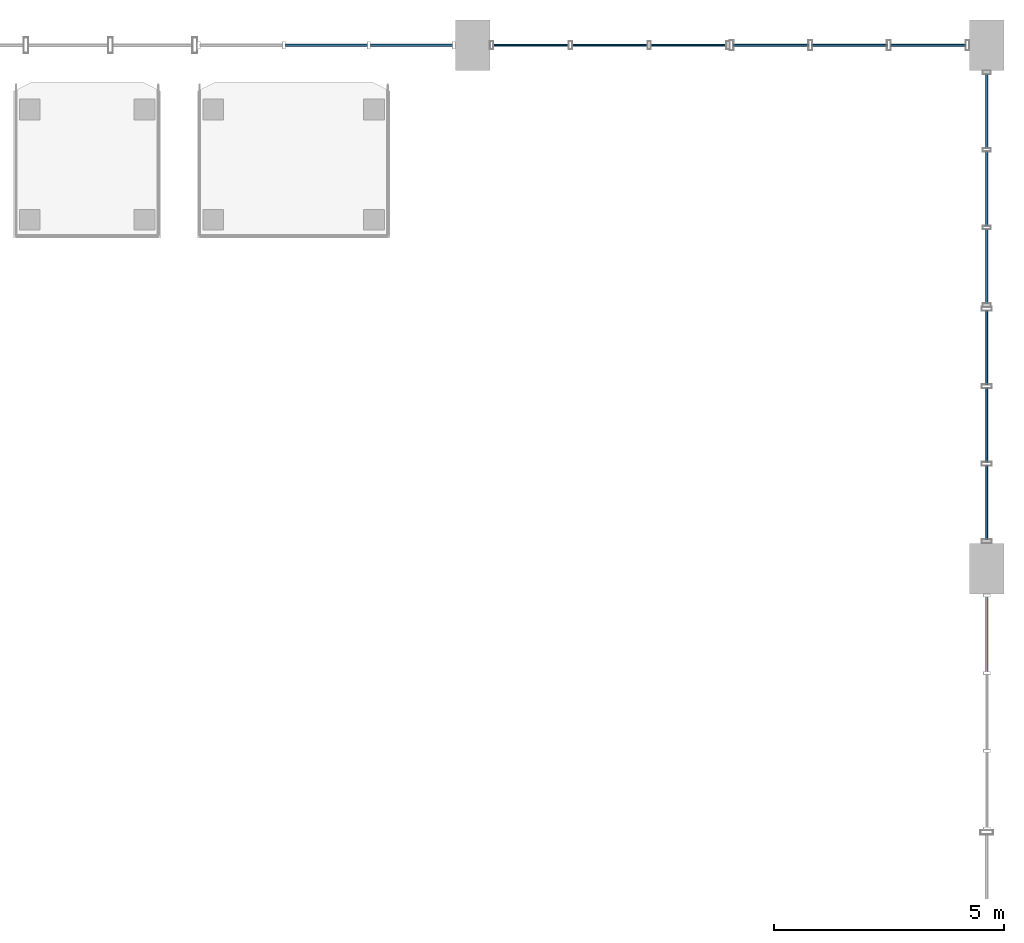
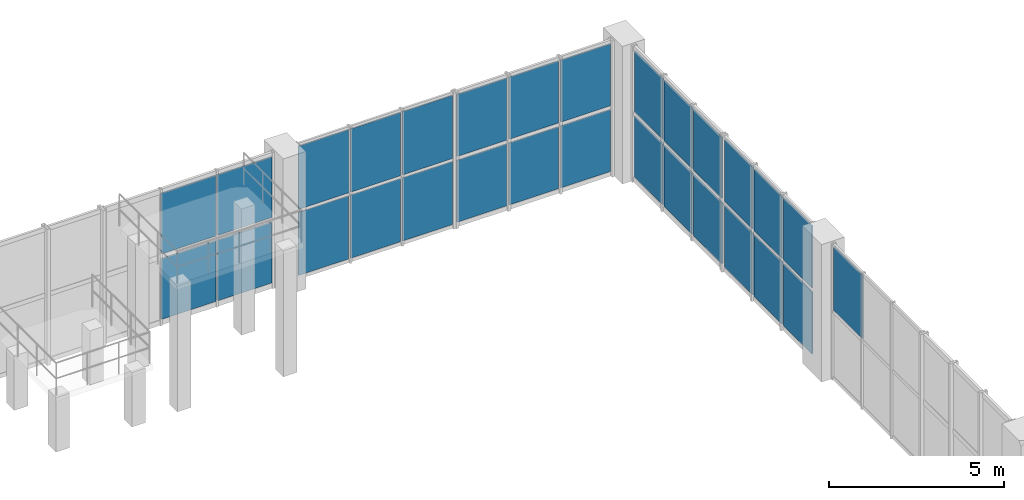
# One storey, part 77 of 106: 29 plates, 6 elements without a shape of their own.
"""IFC4 building model written with IfcOpenShell, lengths in metres."""

from ifc_helpers import new_model, si_unit, direction, frame, origin, origin_2d, place, context, subcontext, project, spatial, rectangle, extrude, material, layer, layer_set, type_object, element, aggregate, save


model = new_model("IFC4")

# Units and contexts
model_context = context("Model", 3, precision=1e-05, world=origin(), true_north=direction((0.0, 1.0)))
body_context = subcontext(model_context, "Body", "Model", "MODEL_VIEW")
ifc_project = project(units=[si_unit("LENGTHUNIT", "METRE"), si_unit("AREAUNIT", "SQUARE_METRE"), si_unit("VOLUMEUNIT", "CUBIC_METRE"), si_unit("PLANEANGLEUNIT", "RADIAN"), si_unit("MASSUNIT", "GRAM", prefix="KILO"), si_unit("POWERUNIT", "WATT"), si_unit("THERMODYNAMICTEMPERATUREUNIT", "KELVIN")], contexts=[model_context])

# Site, building, storey
site_placement = place(None, origin())
site = spatial("IfcSite", under=ifc_project, at=site_placement, CompositionType="ELEMENT")
building_placement = place(site_placement, origin())
building = spatial("IfcBuilding", under=site, at=building_placement, Name="Kelmbourne Parkland Aquatics Centre", CompositionType="ELEMENT")
storey_placement = place(building_placement, frame((0.0, 0.0, 5.39990234375)))
storey = spatial("IfcBuildingStorey", under=building, at=storey_placement, Name="L01", CompositionType="ELEMENT", Elevation=5.39990234375)

# Curtain wall, plate
ifc_material_1 = material(Name="Thermally broken anodised aluminium framing", Category="aluminium")
ifc_layer_1 = layer(ifc_material_1, 0.179931640625)
ifc_layer_set_1 = layer_set([ifc_layer_1], Name="Thermally broken anodised aluminium framing")
curtain_wall_type_1 = type_object("IfcCurtainWallType", Name="CW-18", PredefinedType="NOTDEFINED", material=ifc_layer_set_1)
curtain_wall_1_placement = place(storey_placement, origin())
curtain_wall_1 = element("IfcCurtainWall", 1, at=curtain_wall_1_placement, inside=storey, type_object=curtain_wall_type_1, Name="Wave-hall clerestory curtain wall CW-L01-090", PredefinedType="NOTDEFINED")
ifc_material_2 = material(Name="Double-glazed low-e laminated safety glass", Category="glass")
ifc_layer_2 = layer(ifc_material_2, 0.0419921875)
ifc_layer_set_2 = layer_set([ifc_layer_2], Name="Double-glazed low-e laminated safety glass")
plate_type_1 = type_object("IfcPlateType", Name="PL-CLR-1", PredefinedType="USERDEFINED", material=ifc_layer_set_2)
plate_1_placement = place(storey_placement, frame((175.199951171875, 101.968505859375, 2.428955078125), z_axis=(0.0, 0.0, 1.0), x_axis=(0.0, 1.0, 0.0)))
plate_1 = element("IfcPlate", 2, at=plate_1_placement, type_object=plate_type_1, Name="CW-L01-090 clerestory glazing 1-2", ObjectType="CLERESTORY GLAZING", PredefinedType="USERDEFINED", context=body_context, shape_type="SweptSolid", body=[
    extrude(rectangle(XDim=1.641357421875, YDim=0.0419921875, at=origin_2d()), origin(), (0.0, 0.0, 1.0), 2.2041015625),
])
aggregate(curtain_wall_1, [plate_1])

# Curtain wall, plates
ifc_layer_3 = layer(ifc_material_1, 0.179931640625)
ifc_layer_set_3 = layer_set([ifc_layer_3], Name="Thermally broken anodised aluminium framing")
curtain_wall_type_2 = type_object("IfcCurtainWallType", Name="CW-01", PredefinedType="NOTDEFINED", material=ifc_layer_set_3)
curtain_wall_2_placement = place(storey_placement, origin())
curtain_wall_2 = element("IfcCurtainWall", 3, at=curtain_wall_2_placement, inside=storey, type_object=curtain_wall_type_2, Name="Wave-hall clerestory curtain wall CW-L01-097", PredefinedType="NOTDEFINED")
plate_2_placement = place(storey_placement, frame((175.199951171875, 104.83837890625, 2.4443359375), z_axis=(0.0, 0.0, 1.0), x_axis=(0.0, 1.0, 0.0)))
plate_2 = element("IfcPlate", 4, at=plate_2_placement, type_object=plate_type_1, Name="CW-L01-097 clerestory glazing 1-0", ObjectType="CLERESTORY GLAZING", PredefinedType="USERDEFINED", context=body_context, shape_type="SweptSolid", body=[
    extrude(rectangle(XDim=1.61474609375, YDim=0.0419921875, at=origin_2d()), origin(), (0.0, 0.0, 1.0), 2.158935546875),
])
plate_3_placement = place(storey_placement, frame((175.199951171875, 106.52587890625, 2.4443359375), z_axis=(0.0, 0.0, 1.0), x_axis=(0.0, 1.0, 0.0)))
plate_3 = element("IfcPlate", 5, at=plate_3_placement, type_object=plate_type_1, Name="CW-L01-097 clerestory glazing 1-1", ObjectType="CLERESTORY GLAZING", PredefinedType="USERDEFINED", context=body_context, shape_type="SweptSolid", body=[
    extrude(rectangle(XDim=1.614501953125, YDim=0.0419921875, at=origin_2d()), origin(), (0.0, 0.0, 1.0), 2.158935546875),
])
plate_4_placement = place(storey_placement, frame((175.199951171875, 108.213623046875, 2.4443359375), z_axis=(0.0, 0.0, 1.0), x_axis=(0.0, 1.0, 0.0)))
plate_4 = element("IfcPlate", 6, at=plate_4_placement, type_object=plate_type_1, Name="CW-L01-097 clerestory glazing 1-2", ObjectType="CLERESTORY GLAZING", PredefinedType="USERDEFINED", context=body_context, shape_type="SweptSolid", body=[
    extrude(rectangle(XDim=1.61474609375, YDim=0.0419921875, at=origin_2d()), origin(), (0.0, 0.0, 1.0), 2.158935546875),
])

ifc_layer_4 = layer(ifc_material_1, 0.179931640625)
ifc_layer_set_4 = layer_set([ifc_layer_4], Name="Thermally broken anodised aluminium framing")
curtain_wall_type_3 = type_object("IfcCurtainWallType", Name="CW-05", PredefinedType="NOTDEFINED", material=ifc_layer_set_4)
curtain_wall_3_placement = place(storey_placement, origin())
curtain_wall_3 = element("IfcCurtainWall", 7, at=curtain_wall_3_placement, inside=storey, type_object=curtain_wall_type_3, Name="Wave-hall clerestory curtain wall CW-L01-101", PredefinedType="NOTDEFINED")
plate_5_placement = place(storey_placement, frame((175.199951171875, 109.98291015625, 2.458984375), z_axis=(0.0, 0.0, 1.0), x_axis=(0.0, 1.0, 0.0)))
plate_5 = element("IfcPlate", 8, at=plate_5_placement, type_object=plate_type_1, Name="CW-L01-101 clerestory glazing 1-0", ObjectType="CLERESTORY GLAZING", PredefinedType="USERDEFINED", context=body_context, shape_type="SweptSolid", body=[
    extrude(rectangle(XDim=1.6279296875, YDim=0.0419921875, at=origin_2d()), origin(), (0.0, 0.0, 1.0), 2.114013671875),
])
plate_6_placement = place(storey_placement, frame((175.199951171875, 111.674072265625, 2.458984375), z_axis=(0.0, 0.0, 1.0), x_axis=(0.0, 1.0, 0.0)))
plate_6 = element("IfcPlate", 9, at=plate_6_placement, type_object=plate_type_1, Name="CW-L01-101 clerestory glazing 1-1", ObjectType="CLERESTORY GLAZING", PredefinedType="USERDEFINED", context=body_context, shape_type="SweptSolid", body=[
    extrude(rectangle(XDim=1.6279296875, YDim=0.0419921875, at=origin_2d()), origin(), (0.0, 0.0, 1.0), 2.114013671875),
])
plate_7_placement = place(storey_placement, frame((175.199951171875, 113.364990234375, 2.458984375), z_axis=(0.0, 0.0, 1.0), x_axis=(0.0, 1.0, 0.0)))
plate_7 = element("IfcPlate", 10, at=plate_7_placement, type_object=plate_type_1, Name="CW-L01-101 clerestory glazing 1-2", ObjectType="CLERESTORY GLAZING", PredefinedType="USERDEFINED", context=body_context, shape_type="SweptSolid", body=[
    extrude(rectangle(XDim=1.6279296875, YDim=0.0419921875, at=origin_2d()), origin(), (0.0, 0.0, 1.0), 2.114013671875),
])

ifc_layer_5 = layer(ifc_material_1, 0.179931640625)
ifc_layer_set_5 = layer_set([ifc_layer_5], Name="Thermally broken anodised aluminium framing")
curtain_wall_type_4 = type_object("IfcCurtainWallType", Name="CW-20", PredefinedType="NOTDEFINED", material=ifc_layer_set_5)
curtain_wall_4_placement = place(storey_placement, origin())
curtain_wall_4 = element("IfcCurtainWall", 11, at=curtain_wall_4_placement, inside=storey, type_object=curtain_wall_type_4, Name="Wave-hall clerestory curtain wall CW-L01-140", PredefinedType="NOTDEFINED")
plate_8_placement = place(storey_placement, frame((160.8115234375, 114.800048828125, 2.458984375), z_axis=(0.0, 0.0, 1.0), x_axis=(1.0, 0.0, 0.0)))
plate_8 = element("IfcPlate", 12, at=plate_8_placement, type_object=plate_type_1, Name="CW-L01-140 clerestory glazing 1-1", ObjectType="CLERESTORY GLAZING", PredefinedType="USERDEFINED", context=body_context, shape_type="SweptSolid", body=[
    extrude(rectangle(XDim=1.799560546875, YDim=0.0419921875, at=origin_2d()), origin(), (0.0, 0.0, 1.0), 2.114013671875),
])
plate_9_placement = place(storey_placement, frame((162.664306640625, 114.800048828125, 2.458984375), z_axis=(0.0, 0.0, 1.0), x_axis=(1.0, 0.0, 0.0)))
plate_9 = element("IfcPlate", 13, at=plate_9_placement, type_object=plate_type_1, Name="CW-L01-140 clerestory glazing 1-2", ObjectType="CLERESTORY GLAZING", PredefinedType="USERDEFINED", context=body_context, shape_type="SweptSolid", body=[
    extrude(rectangle(XDim=1.7998046875, YDim=0.0419921875, at=origin_2d()), origin(), (0.0, 0.0, 1.0), 2.114013671875),
])

ifc_layer_6 = layer(ifc_material_1, 0.179931640625)
ifc_layer_set_6 = layer_set([ifc_layer_6], Name="Thermally broken anodised aluminium framing")
curtain_wall_type_5 = type_object("IfcCurtainWallType", Name="CW-21", PredefinedType="NOTDEFINED", material=ifc_layer_set_6)
curtain_wall_5_placement = place(storey_placement, origin())
curtain_wall_5 = element("IfcCurtainWall", 14, at=curtain_wall_5_placement, inside=storey, type_object=curtain_wall_type_5, Name="Wave-hall clerestory curtain wall CW-L01-141", PredefinedType="NOTDEFINED")
plate_10_placement = place(storey_placement, frame((165.2724609375, 114.800048828125, 2.428955078125), z_axis=(0.0, 0.0, 1.0), x_axis=(1.0, 0.0, 0.0)))
plate_10 = element("IfcPlate", 15, at=plate_10_placement, type_object=plate_type_1, Name="CW-L01-141 clerestory glazing 1-0", ObjectType="CLERESTORY GLAZING", PredefinedType="USERDEFINED", context=body_context, shape_type="SweptSolid", body=[
    extrude(rectangle(XDim=1.653076171875, YDim=0.0419921875, at=origin_2d()), origin(), (0.0, 0.0, 1.0), 2.2041015625),
])
plate_11_placement = place(storey_placement, frame((166.988525390625, 114.800048828125, 2.428955078125), z_axis=(0.0, 0.0, 1.0), x_axis=(1.0, 0.0, 0.0)))
plate_11 = element("IfcPlate", 16, at=plate_11_placement, type_object=plate_type_1, Name="CW-L01-141 clerestory glazing 1-1", ObjectType="CLERESTORY GLAZING", PredefinedType="USERDEFINED", context=body_context, shape_type="SweptSolid", body=[
    extrude(rectangle(XDim=1.653076171875, YDim=0.0419921875, at=origin_2d()), origin(), (0.0, 0.0, 1.0), 2.2041015625),
])
plate_12_placement = place(storey_placement, frame((168.70458984375, 114.800048828125, 2.428955078125), z_axis=(0.0, 0.0, 1.0), x_axis=(1.0, 0.0, 0.0)))
plate_12 = element("IfcPlate", 17, at=plate_12_placement, type_object=plate_type_1, Name="CW-L01-141 clerestory glazing 1-2", ObjectType="CLERESTORY GLAZING", PredefinedType="USERDEFINED", context=body_context, shape_type="SweptSolid", body=[
    extrude(rectangle(XDim=1.653076171875, YDim=0.0419921875, at=origin_2d()), origin(), (0.0, 0.0, 1.0), 2.2041015625),
])

ifc_layer_7 = layer(ifc_material_1, 0.179931640625)
ifc_layer_set_7 = layer_set([ifc_layer_7], Name="Thermally broken anodised aluminium framing")
curtain_wall_type_6 = type_object("IfcCurtainWallType", Name="CW-22", PredefinedType="NOTDEFINED", material=ifc_layer_set_7)
curtain_wall_6_placement = place(storey_placement, origin())
curtain_wall_6 = element("IfcCurtainWall", 18, at=curtain_wall_6_placement, inside=storey, type_object=curtain_wall_type_6, Name="Wave-hall clerestory curtain wall CW-L01-142", PredefinedType="NOTDEFINED")
plate_13_placement = place(storey_placement, frame((170.498779296875, 114.800048828125, 2.4443359375), z_axis=(0.0, 0.0, 1.0), x_axis=(1.0, 0.0, 0.0)))
plate_13 = element("IfcPlate", 19, at=plate_13_placement, type_object=plate_type_1, Name="CW-L01-142 clerestory glazing 1-0", ObjectType="CLERESTORY GLAZING", PredefinedType="USERDEFINED", context=body_context, shape_type="SweptSolid", body=[
    extrude(rectangle(XDim=1.6396484375, YDim=0.0419921875, at=origin_2d()), origin(), (0.0, 0.0, 1.0), 2.158935546875),
])
plate_14_placement = place(storey_placement, frame((172.21142578125, 114.800048828125, 2.4443359375), z_axis=(0.0, 0.0, 1.0), x_axis=(1.0, 0.0, 0.0)))
plate_14 = element("IfcPlate", 20, at=plate_14_placement, type_object=plate_type_1, Name="CW-L01-142 clerestory glazing 1-1", ObjectType="CLERESTORY GLAZING", PredefinedType="USERDEFINED", context=body_context, shape_type="SweptSolid", body=[
    extrude(rectangle(XDim=1.6396484375, YDim=0.0419921875, at=origin_2d()), origin(), (0.0, 0.0, 1.0), 2.158935546875),
])
plate_15_placement = place(storey_placement, frame((173.924072265625, 114.800048828125, 2.4443359375), z_axis=(0.0, 0.0, 1.0), x_axis=(1.0, 0.0, 0.0)))
plate_15 = element("IfcPlate", 21, at=plate_15_placement, type_object=plate_type_1, Name="CW-L01-142 clerestory glazing 1-2", ObjectType="CLERESTORY GLAZING", PredefinedType="USERDEFINED", context=body_context, shape_type="SweptSolid", body=[
    extrude(rectangle(XDim=1.6396484375, YDim=0.0419921875, at=origin_2d()), origin(), (0.0, 0.0, 1.0), 2.158935546875),
])

# Plate
ifc_layer_8 = layer(ifc_material_2, 0.02392578125)
ifc_layer_set_8 = layer_set([ifc_layer_8], Name="Double-glazed low-e laminated safety glass")
plate_type_2 = type_object("IfcPlateType", Name="PL-CWP-1", PredefinedType="CURTAIN_PANEL", material=ifc_layer_set_8)
plate_16_placement = place(storey_placement, frame((165.2724609375, 114.800048828125, 0.116943359375), z_axis=(0.0, 0.0, 1.0), x_axis=(1.0, 0.0, 0.0)))
plate_16 = element("IfcPlate", 22, at=plate_16_placement, type_object=plate_type_2, Name="CW-L01-141 vision glazing 0-0", PredefinedType="CURTAIN_PANEL", context=body_context, shape_type="SweptSolid", body=[
    extrude(rectangle(XDim=1.653076171875, YDim=0.02392578125, at=origin_2d()), origin(), (0.0, 0.0, 1.0), 2.2041015625),
])

plate_17_placement = place(storey_placement, frame((166.988525390625, 114.800048828125, 0.116943359375), z_axis=(0.0, 0.0, 1.0), x_axis=(1.0, 0.0, 0.0)))
plate_17 = element("IfcPlate", 23, at=plate_17_placement, type_object=plate_type_2, Name="CW-L01-141 vision glazing 0-1", PredefinedType="CURTAIN_PANEL", context=body_context, shape_type="SweptSolid", body=[
    extrude(rectangle(XDim=1.653076171875, YDim=0.02392578125, at=origin_2d()), origin(), (0.0, 0.0, 1.0), 2.2041015625),
])

plate_18_placement = place(storey_placement, frame((168.70458984375, 114.800048828125, 0.116943359375), z_axis=(0.0, 0.0, 1.0), x_axis=(1.0, 0.0, 0.0)))
plate_18 = element("IfcPlate", 24, at=plate_18_placement, type_object=plate_type_2, Name="CW-L01-141 vision glazing 0-2", PredefinedType="CURTAIN_PANEL", context=body_context, shape_type="SweptSolid", body=[
    extrude(rectangle(XDim=1.653076171875, YDim=0.02392578125, at=origin_2d()), origin(), (0.0, 0.0, 1.0), 2.2041015625),
])

aggregate(curtain_wall_5, [plate_16, plate_17, plate_18, plate_10, plate_11, plate_12])

ifc_layer_9 = layer(ifc_material_2, 0.035888671875)
ifc_layer_set_9 = layer_set([ifc_layer_9], Name="Double-glazed low-e laminated safety glass")
plate_type_3 = type_object("IfcPlateType", Name="PL-CWP-2", PredefinedType="CURTAIN_PANEL", material=ifc_layer_set_9)
plate_19_placement = place(storey_placement, frame((175.199951171875, 104.83837890625, 0.14697265625), z_axis=(0.0, 0.0, 1.0), x_axis=(0.0, 1.0, 0.0)))
plate_19 = element("IfcPlate", 25, at=plate_19_placement, type_object=plate_type_3, Name="CW-L01-097 vision glazing 0-0", PredefinedType="CURTAIN_PANEL", context=body_context, shape_type="SweptSolid", body=[
    extrude(rectangle(XDim=1.61474609375, YDim=0.035888671875, at=origin_2d()), origin(), (0.0, 0.0, 1.0), 2.158935546875),
])

plate_20_placement = place(storey_placement, frame((175.199951171875, 106.52587890625, 0.14697265625), z_axis=(0.0, 0.0, 1.0), x_axis=(0.0, 1.0, 0.0)))
plate_20 = element("IfcPlate", 26, at=plate_20_placement, type_object=plate_type_3, Name="CW-L01-097 vision glazing 0-1", PredefinedType="CURTAIN_PANEL", context=body_context, shape_type="SweptSolid", body=[
    extrude(rectangle(XDim=1.614501953125, YDim=0.035888671875, at=origin_2d()), origin(), (0.0, 0.0, 1.0), 2.158935546875),
])

plate_21_placement = place(storey_placement, frame((175.199951171875, 108.213623046875, 0.14697265625), z_axis=(0.0, 0.0, 1.0), x_axis=(0.0, 1.0, 0.0)))
plate_21 = element("IfcPlate", 27, at=plate_21_placement, type_object=plate_type_3, Name="CW-L01-097 vision glazing 0-2", PredefinedType="CURTAIN_PANEL", context=body_context, shape_type="SweptSolid", body=[
    extrude(rectangle(XDim=1.61474609375, YDim=0.035888671875, at=origin_2d()), origin(), (0.0, 0.0, 1.0), 2.158935546875),
])

aggregate(curtain_wall_2, [plate_19, plate_20, plate_21, plate_2, plate_3, plate_4])

plate_22_placement = place(storey_placement, frame((170.498779296875, 114.800048828125, 0.14697265625), z_axis=(0.0, 0.0, 1.0), x_axis=(1.0, 0.0, 0.0)))
plate_22 = element("IfcPlate", 28, at=plate_22_placement, type_object=plate_type_3, Name="CW-L01-142 vision glazing 0-0", PredefinedType="CURTAIN_PANEL", context=body_context, shape_type="SweptSolid", body=[
    extrude(rectangle(XDim=1.6396484375, YDim=0.035888671875, at=origin_2d()), origin(), (0.0, 0.0, 1.0), 2.158935546875),
])

plate_23_placement = place(storey_placement, frame((172.21142578125, 114.800048828125, 0.14697265625), z_axis=(0.0, 0.0, 1.0), x_axis=(1.0, 0.0, 0.0)))
plate_23 = element("IfcPlate", 29, at=plate_23_placement, type_object=plate_type_3, Name="CW-L01-142 vision glazing 0-1", PredefinedType="CURTAIN_PANEL", context=body_context, shape_type="SweptSolid", body=[
    extrude(rectangle(XDim=1.6396484375, YDim=0.035888671875, at=origin_2d()), origin(), (0.0, 0.0, 1.0), 2.158935546875),
])

plate_24_placement = place(storey_placement, frame((173.924072265625, 114.800048828125, 0.14697265625), z_axis=(0.0, 0.0, 1.0), x_axis=(1.0, 0.0, 0.0)))
plate_24 = element("IfcPlate", 30, at=plate_24_placement, type_object=plate_type_3, Name="CW-L01-142 vision glazing 0-2", PredefinedType="CURTAIN_PANEL", context=body_context, shape_type="SweptSolid", body=[
    extrude(rectangle(XDim=1.6396484375, YDim=0.035888671875, at=origin_2d()), origin(), (0.0, 0.0, 1.0), 2.158935546875),
])

aggregate(curtain_wall_6, [plate_22, plate_23, plate_24, plate_13, plate_14, plate_15])

ifc_layer_10 = layer(ifc_material_2, 0.048095703125)
ifc_layer_set_10 = layer_set([ifc_layer_10], Name="Double-glazed low-e laminated safety glass")
plate_type_4 = type_object("IfcPlateType", Name="PL-CWP-3", PredefinedType="CURTAIN_PANEL", material=ifc_layer_set_10)
plate_25_placement = place(storey_placement, frame((175.199951171875, 109.98291015625, 0.17724609375), z_axis=(0.0, 0.0, 1.0), x_axis=(0.0, 1.0, 0.0)))
plate_25 = element("IfcPlate", 31, at=plate_25_placement, type_object=plate_type_4, Name="CW-L01-101 vision glazing 0-0", PredefinedType="CURTAIN_PANEL", context=body_context, shape_type="SweptSolid", body=[
    extrude(rectangle(XDim=1.6279296875, YDim=0.048095703125, at=origin_2d()), origin(), (0.0, 0.0, 1.0), 2.114013671875),
])

plate_26_placement = place(storey_placement, frame((175.199951171875, 111.674072265625, 0.17724609375), z_axis=(0.0, 0.0, 1.0), x_axis=(0.0, 1.0, 0.0)))
plate_26 = element("IfcPlate", 32, at=plate_26_placement, type_object=plate_type_4, Name="CW-L01-101 vision glazing 0-1", PredefinedType="CURTAIN_PANEL", context=body_context, shape_type="SweptSolid", body=[
    extrude(rectangle(XDim=1.6279296875, YDim=0.048095703125, at=origin_2d()), origin(), (0.0, 0.0, 1.0), 2.114013671875),
])

plate_27_placement = place(storey_placement, frame((175.199951171875, 113.364990234375, 0.17724609375), z_axis=(0.0, 0.0, 1.0), x_axis=(0.0, 1.0, 0.0)))
plate_27 = element("IfcPlate", 33, at=plate_27_placement, type_object=plate_type_4, Name="CW-L01-101 vision glazing 0-2", PredefinedType="CURTAIN_PANEL", context=body_context, shape_type="SweptSolid", body=[
    extrude(rectangle(XDim=1.6279296875, YDim=0.048095703125, at=origin_2d()), origin(), (0.0, 0.0, 1.0), 2.114013671875),
])

aggregate(curtain_wall_3, [plate_25, plate_26, plate_27, plate_5, plate_6, plate_7])

plate_28_placement = place(storey_placement, frame((160.8115234375, 114.800048828125, 0.17724609375), z_axis=(0.0, 0.0, 1.0), x_axis=(1.0, 0.0, 0.0)))
plate_28 = element("IfcPlate", 34, at=plate_28_placement, type_object=plate_type_4, Name="CW-L01-140 vision glazing 0-1", PredefinedType="CURTAIN_PANEL", context=body_context, shape_type="SweptSolid", body=[
    extrude(rectangle(XDim=1.799560546875, YDim=0.048095703125, at=origin_2d()), origin(), (0.0, 0.0, 1.0), 2.114013671875),
])

plate_29_placement = place(storey_placement, frame((162.664306640625, 114.800048828125, 0.17724609375), z_axis=(0.0, 0.0, 1.0), x_axis=(1.0, 0.0, 0.0)))
plate_29 = element("IfcPlate", 35, at=plate_29_placement, type_object=plate_type_4, Name="CW-L01-140 vision glazing 0-2", PredefinedType="CURTAIN_PANEL", context=body_context, shape_type="SweptSolid", body=[
    extrude(rectangle(XDim=1.7998046875, YDim=0.048095703125, at=origin_2d()), origin(), (0.0, 0.0, 1.0), 2.114013671875),
])

aggregate(curtain_wall_4, [plate_28, plate_29, plate_8, plate_9])

save(model, "model.ifc")
